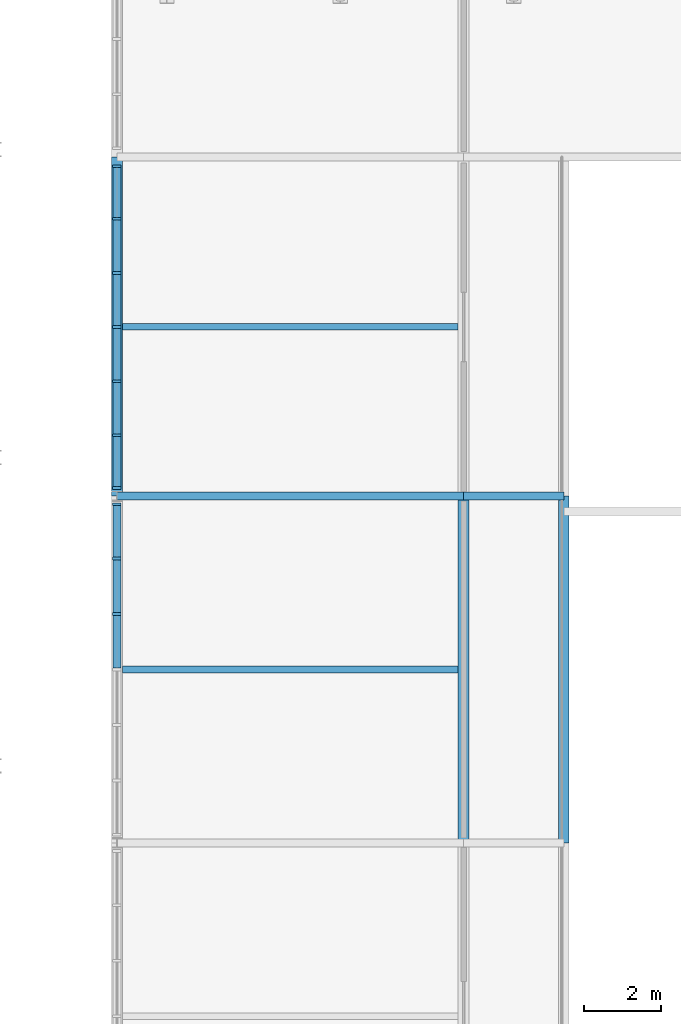
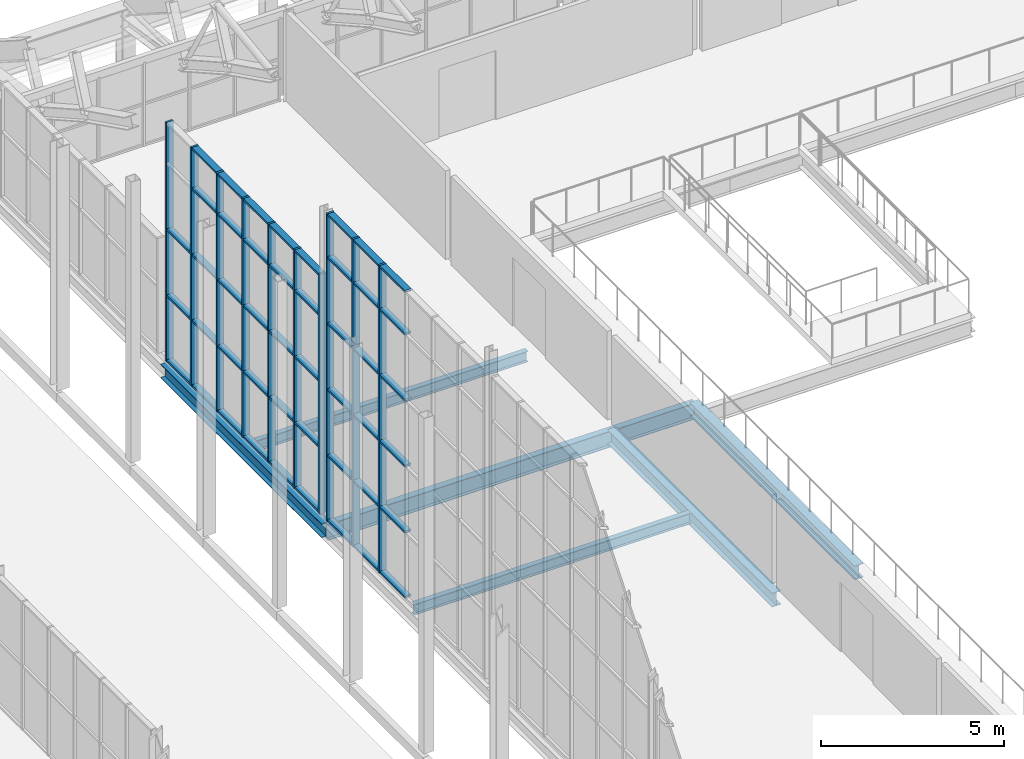
# One storey, part 54 of 134: 56 members, 7 beams, 2 elements without a shape of their own.
"""IFC4 building model written with IfcOpenShell, lengths in metres."""

from ifc_helpers import new_model, si_unit, direction, frame, origin, origin_2d, place, context, subcontext, project, spatial, rectangle, i_section, extrude, material, layer, layer_set, material_profile, profile_set, type_object, element, aggregate, save


model = new_model("IFC4")

# Units and contexts
model_context = context("Model", 3, precision=1e-05, world=origin(), true_north=direction((0.0, 1.0)))
body_context = subcontext(model_context, "Body", "Model", "MODEL_VIEW")
ifc_project = project(units=[si_unit("LENGTHUNIT", "METRE"), si_unit("AREAUNIT", "SQUARE_METRE"), si_unit("VOLUMEUNIT", "CUBIC_METRE"), si_unit("PLANEANGLEUNIT", "RADIAN"), si_unit("MASSUNIT", "GRAM", prefix="KILO")], contexts=[model_context])

# Site, building, storey
site_placement = place(None, origin())
site = spatial("IfcSite", under=ifc_project, at=site_placement, CompositionType="ELEMENT")
building_placement = place(site_placement, origin())
building = spatial("IfcBuilding", under=site, at=building_placement, Name="Cazmaro Siding Exhibition Halls", CompositionType="ELEMENT")
storey_placement = place(building_placement, frame((0.0, 0.0, 12.0)))
storey = spatial("IfcBuildingStorey", under=building, at=storey_placement, Name="L02", CompositionType="ELEMENT", Elevation=12.0)

# Beams
ifc_material_1 = material(Name="Steel ASTM A992 Grade 50", Category="steel")
ifc_material_profile_1 = material_profile(ifc_material_1, i_section(OverallWidth=0.2099609375, OverallDepth=0.535888671875, WebThickness=0.010986328125, FlangeThickness=0.01708984375, at=origin_2d()), Name="W21X68")
ifc_profile_set_1 = profile_set([ifc_material_profile_1], Name="Steel ASTM A992 Grade 50")
beam_type_1 = type_object("IfcBeamType", Name="B-02", PredefinedType="BEAM", material=ifc_profile_set_1)
beam_1_placement = place(storey_placement, frame((48.199951171875, 103.0, -0.488037109375), z_axis=(1.0, 0.0, 0.0), x_axis=(0.0, 1.0, 0.0)))
element("IfcBeam", 1, at=beam_1_placement, inside=storey, type_object=beam_type_1, Name="Beam B-02 BM-0488", PredefinedType="BEAM", context=body_context, shape_type="SweptSolid", body=[
    extrude(i_section(OverallWidth=0.2099609375, OverallDepth=0.535888671875, WebThickness=0.010986328125, FlangeThickness=0.01708984375, at=origin_2d()), origin(), (0.0, 0.0, 1.0), 9.0),
])
beam_2_placement = place(storey_placement, frame((57.199951171875, 103.0, -0.488037109375), z_axis=(1.0, 0.0, 0.0), x_axis=(0.0, 1.0, 0.0)))
element("IfcBeam", 2, at=beam_2_placement, inside=storey, type_object=beam_type_1, Name="Beam B-02 BM-0504", PredefinedType="BEAM", context=body_context, shape_type="SweptSolid", body=[
    extrude(i_section(OverallWidth=0.2099609375, OverallDepth=0.535888671875, WebThickness=0.010986328125, FlangeThickness=0.01708984375, at=origin_2d()), origin(), (0.0, 0.0, 1.0), 2.60009765625),
])
ifc_material_2 = material(Name="Steel ASTM A992 Grade 50", Category="steel")
ifc_material_profile_2 = material_profile(ifc_material_2, i_section(OverallWidth=0.279052734375, OverallDepth=0.4619140625, WebThickness=0.010986328125, FlangeThickness=0.01708984375, at=origin_2d()), Name="W18X76")
ifc_profile_set_2 = profile_set([ifc_material_profile_2], Name="Steel ASTM A992 Grade 50")
beam_type_2 = type_object("IfcBeamType", Name="B-03", PredefinedType="BEAM", material=ifc_profile_set_2)
beam_3_placement = place(storey_placement, frame((57.199951171875, 94.0, -0.450927734375), z_axis=(0.0, 1.0, 0.0), x_axis=(-1.0, 0.0, 0.0)))
element("IfcBeam", 3, at=beam_3_placement, inside=storey, type_object=beam_type_2, Name="Beam B-03 BM-0496", PredefinedType="BEAM", context=body_context, shape_type="SweptSolid", body=[
    extrude(i_section(OverallWidth=0.279052734375, OverallDepth=0.4619140625, WebThickness=0.010986328125, FlangeThickness=0.01708984375, at=origin_2d()), origin(), (0.0, 0.0, 1.0), 9.0),
])
beam_4_placement = place(storey_placement, frame((48.199951171875, 103.0, -0.450927734375), z_axis=(0.0, 1.0, 0.0), x_axis=(-1.0, 0.0, 0.0)))
element("IfcBeam", 4, at=beam_4_placement, inside=storey, type_object=beam_type_2, Name="Beam B-03 BM-0498", PredefinedType="BEAM", context=body_context, shape_type="SweptSolid", body=[
    extrude(i_section(OverallWidth=0.279052734375, OverallDepth=0.4619140625, WebThickness=0.010986328125, FlangeThickness=0.01708984375, at=origin_2d()), origin(), (0.0, 0.0, 1.0), 8.800048828125),
])
beam_5_placement = place(storey_placement, frame((59.800048828125, 94.0, -0.450927734375), z_axis=(0.0, 1.0, 0.0), x_axis=(-1.0, 0.0, 0.0)))
element("IfcBeam", 5, at=beam_5_placement, inside=storey, type_object=beam_type_2, Name="Beam B-03 BM-0507", PredefinedType="BEAM", context=body_context, shape_type="SweptSolid", body=[
    extrude(i_section(OverallWidth=0.279052734375, OverallDepth=0.4619140625, WebThickness=0.010986328125, FlangeThickness=0.01708984375, at=origin_2d()), origin(), (0.0, 0.0, 1.0), 9.0),
])

# Curtain wall, members
ifc_material_3 = material(Name="Anodized Bronze Aluminum and Solar-Control Low-E Glazing", Category="aluminium")
ifc_layer = layer(ifc_material_3, 0.219970703125)
ifc_layer_set = layer_set([ifc_layer], Name="Anodized Bronze Aluminum and Solar-Control Low-E Glazing")
curtain_wall_type = type_object("IfcCurtainWallType", Name="CWS-03", PredefinedType="USERDEFINED", material=ifc_layer_set)
curtain_wall_1_placement = place(storey_placement, origin())
curtain_wall_1 = element("IfcCurtainWall", 6, at=curtain_wall_1_placement, inside=storey, type_object=curtain_wall_type, Name="Glazed Curtain Wall CWS-03 CW-058", ObjectType="GLAZED CURTAIN WALL", PredefinedType="USERDEFINED")
ifc_material_4 = material(Name="Anodized Bronze Extruded Aluminum", Category="aluminium")
ifc_material_profile_3 = material_profile(ifc_material_4, rectangle(XDim=0.219970703125, YDim=0.070068359375, at=origin_2d()), Name="CWM-03")
ifc_profile_set_3 = profile_set([ifc_material_profile_3], Name="Anodized Bronze Extruded Aluminum")
member_type_1 = type_object("IfcMemberType", Name="CWM-03", PredefinedType="MULLION", material=ifc_profile_set_3)
member_1_placement = place(storey_placement, frame((48.199951171875, 102.7880859375, 0.0), z_axis=(0.0, 0.0, 1.0), x_axis=(1.0, 0.0, 0.0)))
member_1 = element("IfcMember", 7, at=member_1_placement, type_object=member_type_1, Name="CWS-03 mullion 1", PredefinedType="MULLION", context=body_context, shape_type="SweptSolid", body=[
    extrude(rectangle(XDim=0.219970703125, YDim=0.070068359375, at=origin_2d()), origin(), (0.0, 0.0, 1.0), 10.258056640625),
])
member_2_placement = place(storey_placement, frame((48.199951171875, 101.382080078125, 0.0), z_axis=(0.0, 0.0, 1.0), x_axis=(1.0, 0.0, 0.0)))
member_2 = element("IfcMember", 8, at=member_2_placement, type_object=member_type_1, Name="CWS-03 mullion 2", PredefinedType="MULLION", context=body_context, shape_type="SweptSolid", body=[
    extrude(rectangle(XDim=0.219970703125, YDim=0.070068359375, at=origin_2d()), origin(), (0.0, 0.0, 1.0), 10.258056640625),
])
member_3_placement = place(storey_placement, frame((48.199951171875, 99.94091796875, 0.0), z_axis=(0.0, 0.0, 1.0), x_axis=(1.0, 0.0, 0.0)))
member_3 = element("IfcMember", 9, at=member_3_placement, type_object=member_type_1, Name="CWS-03 mullion 3", PredefinedType="MULLION", context=body_context, shape_type="SweptSolid", body=[
    extrude(rectangle(XDim=0.219970703125, YDim=0.070068359375, at=origin_2d()), origin(), (0.0, 0.0, 1.0), 10.258056640625),
])

curtain_wall_2_placement = place(storey_placement, origin())
curtain_wall_2 = element("IfcCurtainWall", 10, at=curtain_wall_2_placement, inside=storey, type_object=curtain_wall_type, Name="Glazed Curtain Wall CWS-03 CW-061", ObjectType="GLAZED CURTAIN WALL", PredefinedType="USERDEFINED")
member_4_placement = place(storey_placement, frame((48.199951171875, 111.56689453125, 0.0), z_axis=(0.0, 0.0, 1.0), x_axis=(1.0, 0.0, 0.0)))
member_4 = element("IfcMember", 11, at=member_4_placement, type_object=member_type_1, Name="CWS-03 mullion 1", PredefinedType="MULLION", context=body_context, shape_type="SweptSolid", body=[
    extrude(rectangle(XDim=0.219970703125, YDim=0.070068359375, at=origin_2d()), origin(), (0.0, 0.0, 1.0), 7.972900390625),
])
member_5_placement = place(storey_placement, frame((48.199951171875, 110.19775390625, 0.0), z_axis=(0.0, 0.0, 1.0), x_axis=(1.0, 0.0, 0.0)))
member_5 = element("IfcMember", 12, at=member_5_placement, type_object=member_type_1, Name="CWS-03 mullion 2", PredefinedType="MULLION", context=body_context, shape_type="SweptSolid", body=[
    extrude(rectangle(XDim=0.219970703125, YDim=0.070068359375, at=origin_2d()), origin(), (0.0, 0.0, 1.0), 7.972900390625),
])
member_6_placement = place(storey_placement, frame((48.199951171875, 108.793701171875, 0.0), z_axis=(0.0, 0.0, 1.0), x_axis=(1.0, 0.0, 0.0)))
member_6 = element("IfcMember", 13, at=member_6_placement, type_object=member_type_1, Name="CWS-03 mullion 3", PredefinedType="MULLION", context=body_context, shape_type="SweptSolid", body=[
    extrude(rectangle(XDim=0.219970703125, YDim=0.070068359375, at=origin_2d()), origin(), (0.0, 0.0, 1.0), 7.972900390625),
])
member_7_placement = place(storey_placement, frame((48.199951171875, 107.389404296875, 0.0), z_axis=(0.0, 0.0, 1.0), x_axis=(1.0, 0.0, 0.0)))
member_7 = element("IfcMember", 14, at=member_7_placement, type_object=member_type_1, Name="CWS-03 mullion 4", PredefinedType="MULLION", context=body_context, shape_type="SweptSolid", body=[
    extrude(rectangle(XDim=0.219970703125, YDim=0.070068359375, at=origin_2d()), origin(), (0.0, 0.0, 1.0), 7.972900390625),
])
member_8_placement = place(storey_placement, frame((48.199951171875, 105.9853515625, 0.0), z_axis=(0.0, 0.0, 1.0), x_axis=(1.0, 0.0, 0.0)))
member_8 = element("IfcMember", 15, at=member_8_placement, type_object=member_type_1, Name="CWS-03 mullion 5", PredefinedType="MULLION", context=body_context, shape_type="SweptSolid", body=[
    extrude(rectangle(XDim=0.219970703125, YDim=0.070068359375, at=origin_2d()), origin(), (0.0, 0.0, 1.0), 7.972900390625),
])
member_9_placement = place(storey_placement, frame((48.199951171875, 104.5810546875, 0.0), z_axis=(0.0, 0.0, 1.0), x_axis=(1.0, 0.0, 0.0)))
member_9 = element("IfcMember", 16, at=member_9_placement, type_object=member_type_1, Name="CWS-03 mullion 6", PredefinedType="MULLION", context=body_context, shape_type="SweptSolid", body=[
    extrude(rectangle(XDim=0.219970703125, YDim=0.070068359375, at=origin_2d()), origin(), (0.0, 0.0, 1.0), 7.972900390625),
])
member_10_placement = place(storey_placement, frame((48.199951171875, 103.2119140625, 0.0), z_axis=(0.0, 0.0, 1.0), x_axis=(1.0, 0.0, 0.0)))
member_10 = element("IfcMember", 17, at=member_10_placement, type_object=member_type_1, Name="CWS-03 mullion 7", PredefinedType="MULLION", context=body_context, shape_type="SweptSolid", body=[
    extrude(rectangle(XDim=0.219970703125, YDim=0.070068359375, at=origin_2d()), origin(), (0.0, 0.0, 1.0), 7.972900390625),
])

# Member
ifc_material_5 = material(Name="Anodized Bronze Extruded Aluminum", Category="aluminium")
ifc_material_profile_4 = material_profile(ifc_material_5, rectangle(XDim=0.199951171875, YDim=0.070068359375, at=origin_2d()), Name="CWT-03")
ifc_profile_set_4 = profile_set([ifc_material_profile_4], Name="Anodized Bronze Extruded Aluminum")
member_type_2 = type_object("IfcMemberType", Name="CWT-03", PredefinedType="MULLION", material=ifc_profile_set_4)
member_11_placement = place(storey_placement, frame((48.199951171875, 102.7529296875, 0.034912109375), z_axis=(0.0, -1.0, 0.0), x_axis=(1.0, 0.0, 0.0)))
member_11 = element("IfcMember", 18, at=member_11_placement, type_object=member_type_2, Name="CWS-03 transom 1.1", ObjectType="TRANSOM", PredefinedType="USERDEFINED", context=body_context, shape_type="SweptSolid", body=[
    extrude(rectangle(XDim=0.199951171875, YDim=0.070068359375, at=origin_2d()), origin(), (0.0, 0.0, 1.0), 1.3359375),
])

member_12_placement = place(storey_placement, frame((48.199951171875, 102.7529296875, 2.199951171875), z_axis=(0.0, -1.0, 0.0), x_axis=(1.0, 0.0, 0.0)))
member_12 = element("IfcMember", 19, at=member_12_placement, type_object=member_type_2, Name="CWS-03 transom 1.2", ObjectType="TRANSOM", PredefinedType="USERDEFINED", context=body_context, shape_type="SweptSolid", body=[
    extrude(rectangle(XDim=0.199951171875, YDim=0.070068359375, at=origin_2d()), origin(), (0.0, 0.0, 1.0), 1.3359375),
])

member_13_placement = place(storey_placement, frame((48.199951171875, 102.7529296875, 4.39990234375), z_axis=(0.0, -1.0, 0.0), x_axis=(1.0, 0.0, 0.0)))
member_13 = element("IfcMember", 20, at=member_13_placement, type_object=member_type_2, Name="CWS-03 transom 1.3", ObjectType="TRANSOM", PredefinedType="USERDEFINED", context=body_context, shape_type="SweptSolid", body=[
    extrude(rectangle(XDim=0.199951171875, YDim=0.070068359375, at=origin_2d()), origin(), (0.0, 0.0, 1.0), 1.3359375),
])

member_14_placement = place(storey_placement, frame((48.199951171875, 102.7529296875, 6.60009765625), z_axis=(0.0, -1.0, 0.0), x_axis=(1.0, 0.0, 0.0)))
member_14 = element("IfcMember", 21, at=member_14_placement, type_object=member_type_2, Name="CWS-03 transom 1.4", ObjectType="TRANSOM", PredefinedType="USERDEFINED", context=body_context, shape_type="SweptSolid", body=[
    extrude(rectangle(XDim=0.199951171875, YDim=0.070068359375, at=origin_2d()), origin(), (0.0, 0.0, 1.0), 1.3359375),
])

member_15_placement = place(storey_placement, frame((48.199951171875, 102.7529296875, 8.800048828125), z_axis=(0.0, -1.0, 0.0), x_axis=(1.0, 0.0, 0.0)))
member_15 = element("IfcMember", 22, at=member_15_placement, type_object=member_type_2, Name="CWS-03 transom 1.5", ObjectType="TRANSOM", PredefinedType="USERDEFINED", context=body_context, shape_type="SweptSolid", body=[
    extrude(rectangle(XDim=0.199951171875, YDim=0.070068359375, at=origin_2d()), origin(), (0.0, 0.0, 1.0), 1.3359375),
])

member_16_placement = place(storey_placement, frame((48.199951171875, 102.7529296875, 10.222900390625), z_axis=(0.0, -1.0, 0.0), x_axis=(1.0, 0.0, 0.0)))
member_16 = element("IfcMember", 23, at=member_16_placement, type_object=member_type_2, Name="CWS-03 transom 1.6", ObjectType="TRANSOM", PredefinedType="USERDEFINED", context=body_context, shape_type="SweptSolid", body=[
    extrude(rectangle(XDim=0.199951171875, YDim=0.070068359375, at=origin_2d()), origin(), (0.0, 0.0, 1.0), 1.3359375),
])

member_17_placement = place(storey_placement, frame((48.199951171875, 101.346923828125, 0.034912109375), z_axis=(0.0, -1.0, 0.0), x_axis=(1.0, 0.0, 0.0)))
member_17 = element("IfcMember", 24, at=member_17_placement, type_object=member_type_2, Name="CWS-03 transom 2.1", ObjectType="TRANSOM", PredefinedType="USERDEFINED", context=body_context, shape_type="SweptSolid", body=[
    extrude(rectangle(XDim=0.199951171875, YDim=0.070068359375, at=origin_2d()), origin(), (0.0, 0.0, 1.0), 1.370849609375),
])

member_18_placement = place(storey_placement, frame((48.199951171875, 101.346923828125, 2.199951171875), z_axis=(0.0, -1.0, 0.0), x_axis=(1.0, 0.0, 0.0)))
member_18 = element("IfcMember", 25, at=member_18_placement, type_object=member_type_2, Name="CWS-03 transom 2.2", ObjectType="TRANSOM", PredefinedType="USERDEFINED", context=body_context, shape_type="SweptSolid", body=[
    extrude(rectangle(XDim=0.199951171875, YDim=0.070068359375, at=origin_2d()), origin(), (0.0, 0.0, 1.0), 1.370849609375),
])

member_19_placement = place(storey_placement, frame((48.199951171875, 101.346923828125, 4.39990234375), z_axis=(0.0, -1.0, 0.0), x_axis=(1.0, 0.0, 0.0)))
member_19 = element("IfcMember", 26, at=member_19_placement, type_object=member_type_2, Name="CWS-03 transom 2.3", ObjectType="TRANSOM", PredefinedType="USERDEFINED", context=body_context, shape_type="SweptSolid", body=[
    extrude(rectangle(XDim=0.199951171875, YDim=0.070068359375, at=origin_2d()), origin(), (0.0, 0.0, 1.0), 1.370849609375),
])

member_20_placement = place(storey_placement, frame((48.199951171875, 101.346923828125, 6.60009765625), z_axis=(0.0, -1.0, 0.0), x_axis=(1.0, 0.0, 0.0)))
member_20 = element("IfcMember", 27, at=member_20_placement, type_object=member_type_2, Name="CWS-03 transom 2.4", ObjectType="TRANSOM", PredefinedType="USERDEFINED", context=body_context, shape_type="SweptSolid", body=[
    extrude(rectangle(XDim=0.199951171875, YDim=0.070068359375, at=origin_2d()), origin(), (0.0, 0.0, 1.0), 1.370849609375),
])

member_21_placement = place(storey_placement, frame((48.199951171875, 101.346923828125, 8.800048828125), z_axis=(0.0, -1.0, 0.0), x_axis=(1.0, 0.0, 0.0)))
member_21 = element("IfcMember", 28, at=member_21_placement, type_object=member_type_2, Name="CWS-03 transom 2.5", ObjectType="TRANSOM", PredefinedType="USERDEFINED", context=body_context, shape_type="SweptSolid", body=[
    extrude(rectangle(XDim=0.199951171875, YDim=0.070068359375, at=origin_2d()), origin(), (0.0, 0.0, 1.0), 1.370849609375),
])

member_22_placement = place(storey_placement, frame((48.199951171875, 101.346923828125, 10.222900390625), z_axis=(0.0, -1.0, 0.0), x_axis=(1.0, 0.0, 0.0)))
member_22 = element("IfcMember", 29, at=member_22_placement, type_object=member_type_2, Name="CWS-03 transom 2.6", ObjectType="TRANSOM", PredefinedType="USERDEFINED", context=body_context, shape_type="SweptSolid", body=[
    extrude(rectangle(XDim=0.199951171875, YDim=0.070068359375, at=origin_2d()), origin(), (0.0, 0.0, 1.0), 1.370849609375),
])

member_23_placement = place(storey_placement, frame((48.199951171875, 99.906005859375, 0.034912109375), z_axis=(0.0, -1.0, 0.0), x_axis=(1.0, 0.0, 0.0)))
member_23 = element("IfcMember", 30, at=member_23_placement, type_object=member_type_2, Name="CWS-03 transom 3.1", ObjectType="TRANSOM", PredefinedType="USERDEFINED", context=body_context, shape_type="SweptSolid", body=[
    extrude(rectangle(XDim=0.199951171875, YDim=0.070068359375, at=origin_2d()), origin(), (0.0, 0.0, 1.0), 1.37109375),
])

member_24_placement = place(storey_placement, frame((48.199951171875, 99.906005859375, 2.199951171875), z_axis=(0.0, -1.0, 0.0), x_axis=(1.0, 0.0, 0.0)))
member_24 = element("IfcMember", 31, at=member_24_placement, type_object=member_type_2, Name="CWS-03 transom 3.2", ObjectType="TRANSOM", PredefinedType="USERDEFINED", context=body_context, shape_type="SweptSolid", body=[
    extrude(rectangle(XDim=0.199951171875, YDim=0.070068359375, at=origin_2d()), origin(), (0.0, 0.0, 1.0), 1.37109375),
])

member_25_placement = place(storey_placement, frame((48.199951171875, 99.906005859375, 4.39990234375), z_axis=(0.0, -1.0, 0.0), x_axis=(1.0, 0.0, 0.0)))
member_25 = element("IfcMember", 32, at=member_25_placement, type_object=member_type_2, Name="CWS-03 transom 3.3", ObjectType="TRANSOM", PredefinedType="USERDEFINED", context=body_context, shape_type="SweptSolid", body=[
    extrude(rectangle(XDim=0.199951171875, YDim=0.070068359375, at=origin_2d()), origin(), (0.0, 0.0, 1.0), 1.37109375),
])

member_26_placement = place(storey_placement, frame((48.199951171875, 99.906005859375, 6.60009765625), z_axis=(0.0, -1.0, 0.0), x_axis=(1.0, 0.0, 0.0)))
member_26 = element("IfcMember", 33, at=member_26_placement, type_object=member_type_2, Name="CWS-03 transom 3.4", ObjectType="TRANSOM", PredefinedType="USERDEFINED", context=body_context, shape_type="SweptSolid", body=[
    extrude(rectangle(XDim=0.199951171875, YDim=0.070068359375, at=origin_2d()), origin(), (0.0, 0.0, 1.0), 1.37109375),
])

member_27_placement = place(storey_placement, frame((48.199951171875, 99.906005859375, 8.800048828125), z_axis=(0.0, -1.0, 0.0), x_axis=(1.0, 0.0, 0.0)))
member_27 = element("IfcMember", 34, at=member_27_placement, type_object=member_type_2, Name="CWS-03 transom 3.5", ObjectType="TRANSOM", PredefinedType="USERDEFINED", context=body_context, shape_type="SweptSolid", body=[
    extrude(rectangle(XDim=0.199951171875, YDim=0.070068359375, at=origin_2d()), origin(), (0.0, 0.0, 1.0), 1.37109375),
])

member_28_placement = place(storey_placement, frame((48.199951171875, 99.906005859375, 10.222900390625), z_axis=(0.0, -1.0, 0.0), x_axis=(1.0, 0.0, 0.0)))
member_28 = element("IfcMember", 35, at=member_28_placement, type_object=member_type_2, Name="CWS-03 transom 3.6", ObjectType="TRANSOM", PredefinedType="USERDEFINED", context=body_context, shape_type="SweptSolid", body=[
    extrude(rectangle(XDim=0.199951171875, YDim=0.070068359375, at=origin_2d()), origin(), (0.0, 0.0, 1.0), 1.37109375),
])

aggregate(curtain_wall_1, [member_1, member_2, member_3, member_11, member_12, member_13, member_14, member_15, member_16, member_17, member_18, member_19, member_20, member_21, member_22, member_23, member_24, member_25, member_26, member_27, member_28])

member_29_placement = place(storey_placement, frame((48.199951171875, 111.531982421875, 0.034912109375), z_axis=(0.0, -1.0, 0.0), x_axis=(1.0, 0.0, 0.0)))
member_29 = element("IfcMember", 36, at=member_29_placement, type_object=member_type_2, Name="CWS-03 transom 1.1", ObjectType="TRANSOM", PredefinedType="USERDEFINED", context=body_context, shape_type="SweptSolid", body=[
    extrude(rectangle(XDim=0.199951171875, YDim=0.070068359375, at=origin_2d()), origin(), (0.0, 0.0, 1.0), 1.299072265625),
])

member_30_placement = place(storey_placement, frame((48.199951171875, 111.531982421875, 2.199951171875), z_axis=(0.0, -1.0, 0.0), x_axis=(1.0, 0.0, 0.0)))
member_30 = element("IfcMember", 37, at=member_30_placement, type_object=member_type_2, Name="CWS-03 transom 1.2", ObjectType="TRANSOM", PredefinedType="USERDEFINED", context=body_context, shape_type="SweptSolid", body=[
    extrude(rectangle(XDim=0.199951171875, YDim=0.070068359375, at=origin_2d()), origin(), (0.0, 0.0, 1.0), 1.299072265625),
])

member_31_placement = place(storey_placement, frame((48.199951171875, 111.531982421875, 4.39990234375), z_axis=(0.0, -1.0, 0.0), x_axis=(1.0, 0.0, 0.0)))
member_31 = element("IfcMember", 38, at=member_31_placement, type_object=member_type_2, Name="CWS-03 transom 1.3", ObjectType="TRANSOM", PredefinedType="USERDEFINED", context=body_context, shape_type="SweptSolid", body=[
    extrude(rectangle(XDim=0.199951171875, YDim=0.070068359375, at=origin_2d()), origin(), (0.0, 0.0, 1.0), 1.299072265625),
])

member_32_placement = place(storey_placement, frame((48.199951171875, 110.162841796875, 0.034912109375), z_axis=(0.0, -1.0, 0.0), x_axis=(1.0, 0.0, 0.0)))
member_32 = element("IfcMember", 39, at=member_32_placement, type_object=member_type_2, Name="CWS-03 transom 2.1", ObjectType="TRANSOM", PredefinedType="USERDEFINED", context=body_context, shape_type="SweptSolid", body=[
    extrude(rectangle(XDim=0.199951171875, YDim=0.070068359375, at=origin_2d()), origin(), (0.0, 0.0, 1.0), 1.334228515625),
])

member_33_placement = place(storey_placement, frame((48.199951171875, 110.162841796875, 2.199951171875), z_axis=(0.0, -1.0, 0.0), x_axis=(1.0, 0.0, 0.0)))
member_33 = element("IfcMember", 40, at=member_33_placement, type_object=member_type_2, Name="CWS-03 transom 2.2", ObjectType="TRANSOM", PredefinedType="USERDEFINED", context=body_context, shape_type="SweptSolid", body=[
    extrude(rectangle(XDim=0.199951171875, YDim=0.070068359375, at=origin_2d()), origin(), (0.0, 0.0, 1.0), 1.334228515625),
])

member_34_placement = place(storey_placement, frame((48.199951171875, 110.162841796875, 4.39990234375), z_axis=(0.0, -1.0, 0.0), x_axis=(1.0, 0.0, 0.0)))
member_34 = element("IfcMember", 41, at=member_34_placement, type_object=member_type_2, Name="CWS-03 transom 2.3", ObjectType="TRANSOM", PredefinedType="USERDEFINED", context=body_context, shape_type="SweptSolid", body=[
    extrude(rectangle(XDim=0.199951171875, YDim=0.070068359375, at=origin_2d()), origin(), (0.0, 0.0, 1.0), 1.334228515625),
])

member_35_placement = place(storey_placement, frame((48.199951171875, 110.162841796875, 6.60009765625), z_axis=(0.0, -1.0, 0.0), x_axis=(1.0, 0.0, 0.0)))
member_35 = element("IfcMember", 42, at=member_35_placement, type_object=member_type_2, Name="CWS-03 transom 2.4", ObjectType="TRANSOM", PredefinedType="USERDEFINED", context=body_context, shape_type="SweptSolid", body=[
    extrude(rectangle(XDim=0.199951171875, YDim=0.070068359375, at=origin_2d()), origin(), (0.0, 0.0, 1.0), 1.334228515625),
])

member_36_placement = place(storey_placement, frame((48.199951171875, 110.162841796875, 7.93798828125), z_axis=(0.0, -1.0, 0.0), x_axis=(1.0, 0.0, 0.0)))
member_36 = element("IfcMember", 43, at=member_36_placement, type_object=member_type_2, Name="CWS-03 transom 2.5", ObjectType="TRANSOM", PredefinedType="USERDEFINED", context=body_context, shape_type="SweptSolid", body=[
    extrude(rectangle(XDim=0.199951171875, YDim=0.070068359375, at=origin_2d()), origin(), (0.0, 0.0, 1.0), 1.334228515625),
])

member_37_placement = place(storey_placement, frame((48.199951171875, 108.758544921875, 0.034912109375), z_axis=(0.0, -1.0, 0.0), x_axis=(1.0, 0.0, 0.0)))
member_37 = element("IfcMember", 44, at=member_37_placement, type_object=member_type_2, Name="CWS-03 transom 3.1", ObjectType="TRANSOM", PredefinedType="USERDEFINED", context=body_context, shape_type="SweptSolid", body=[
    extrude(rectangle(XDim=0.199951171875, YDim=0.070068359375, at=origin_2d()), origin(), (0.0, 0.0, 1.0), 1.333984375),
])

member_38_placement = place(storey_placement, frame((48.199951171875, 108.758544921875, 2.199951171875), z_axis=(0.0, -1.0, 0.0), x_axis=(1.0, 0.0, 0.0)))
member_38 = element("IfcMember", 45, at=member_38_placement, type_object=member_type_2, Name="CWS-03 transom 3.2", ObjectType="TRANSOM", PredefinedType="USERDEFINED", context=body_context, shape_type="SweptSolid", body=[
    extrude(rectangle(XDim=0.199951171875, YDim=0.070068359375, at=origin_2d()), origin(), (0.0, 0.0, 1.0), 1.333984375),
])

member_39_placement = place(storey_placement, frame((48.199951171875, 108.758544921875, 4.39990234375), z_axis=(0.0, -1.0, 0.0), x_axis=(1.0, 0.0, 0.0)))
member_39 = element("IfcMember", 46, at=member_39_placement, type_object=member_type_2, Name="CWS-03 transom 3.3", ObjectType="TRANSOM", PredefinedType="USERDEFINED", context=body_context, shape_type="SweptSolid", body=[
    extrude(rectangle(XDim=0.199951171875, YDim=0.070068359375, at=origin_2d()), origin(), (0.0, 0.0, 1.0), 1.333984375),
])

member_40_placement = place(storey_placement, frame((48.199951171875, 108.758544921875, 6.60009765625), z_axis=(0.0, -1.0, 0.0), x_axis=(1.0, 0.0, 0.0)))
member_40 = element("IfcMember", 47, at=member_40_placement, type_object=member_type_2, Name="CWS-03 transom 3.4", ObjectType="TRANSOM", PredefinedType="USERDEFINED", context=body_context, shape_type="SweptSolid", body=[
    extrude(rectangle(XDim=0.199951171875, YDim=0.070068359375, at=origin_2d()), origin(), (0.0, 0.0, 1.0), 1.333984375),
])

member_41_placement = place(storey_placement, frame((48.199951171875, 108.758544921875, 7.93798828125), z_axis=(0.0, -1.0, 0.0), x_axis=(1.0, 0.0, 0.0)))
member_41 = element("IfcMember", 48, at=member_41_placement, type_object=member_type_2, Name="CWS-03 transom 3.5", ObjectType="TRANSOM", PredefinedType="USERDEFINED", context=body_context, shape_type="SweptSolid", body=[
    extrude(rectangle(XDim=0.199951171875, YDim=0.070068359375, at=origin_2d()), origin(), (0.0, 0.0, 1.0), 1.333984375),
])

member_42_placement = place(storey_placement, frame((48.199951171875, 107.3544921875, 0.034912109375), z_axis=(0.0, -1.0, 0.0), x_axis=(1.0, 0.0, 0.0)))
member_42 = element("IfcMember", 49, at=member_42_placement, type_object=member_type_2, Name="CWS-03 transom 4.1", ObjectType="TRANSOM", PredefinedType="USERDEFINED", context=body_context, shape_type="SweptSolid", body=[
    extrude(rectangle(XDim=0.199951171875, YDim=0.070068359375, at=origin_2d()), origin(), (0.0, 0.0, 1.0), 1.334228515625),
])

member_43_placement = place(storey_placement, frame((48.199951171875, 107.3544921875, 2.199951171875), z_axis=(0.0, -1.0, 0.0), x_axis=(1.0, 0.0, 0.0)))
member_43 = element("IfcMember", 50, at=member_43_placement, type_object=member_type_2, Name="CWS-03 transom 4.2", ObjectType="TRANSOM", PredefinedType="USERDEFINED", context=body_context, shape_type="SweptSolid", body=[
    extrude(rectangle(XDim=0.199951171875, YDim=0.070068359375, at=origin_2d()), origin(), (0.0, 0.0, 1.0), 1.334228515625),
])

member_44_placement = place(storey_placement, frame((48.199951171875, 107.3544921875, 4.39990234375), z_axis=(0.0, -1.0, 0.0), x_axis=(1.0, 0.0, 0.0)))
member_44 = element("IfcMember", 51, at=member_44_placement, type_object=member_type_2, Name="CWS-03 transom 4.3", ObjectType="TRANSOM", PredefinedType="USERDEFINED", context=body_context, shape_type="SweptSolid", body=[
    extrude(rectangle(XDim=0.199951171875, YDim=0.070068359375, at=origin_2d()), origin(), (0.0, 0.0, 1.0), 1.334228515625),
])

member_45_placement = place(storey_placement, frame((48.199951171875, 107.3544921875, 6.60009765625), z_axis=(0.0, -1.0, 0.0), x_axis=(1.0, 0.0, 0.0)))
member_45 = element("IfcMember", 52, at=member_45_placement, type_object=member_type_2, Name="CWS-03 transom 4.4", ObjectType="TRANSOM", PredefinedType="USERDEFINED", context=body_context, shape_type="SweptSolid", body=[
    extrude(rectangle(XDim=0.199951171875, YDim=0.070068359375, at=origin_2d()), origin(), (0.0, 0.0, 1.0), 1.334228515625),
])

member_46_placement = place(storey_placement, frame((48.199951171875, 107.3544921875, 7.93798828125), z_axis=(0.0, -1.0, 0.0), x_axis=(1.0, 0.0, 0.0)))
member_46 = element("IfcMember", 53, at=member_46_placement, type_object=member_type_2, Name="CWS-03 transom 4.5", ObjectType="TRANSOM", PredefinedType="USERDEFINED", context=body_context, shape_type="SweptSolid", body=[
    extrude(rectangle(XDim=0.199951171875, YDim=0.070068359375, at=origin_2d()), origin(), (0.0, 0.0, 1.0), 1.334228515625),
])

member_47_placement = place(storey_placement, frame((48.199951171875, 105.950439453125, 0.034912109375), z_axis=(0.0, -1.0, 0.0), x_axis=(1.0, 0.0, 0.0)))
member_47 = element("IfcMember", 54, at=member_47_placement, type_object=member_type_2, Name="CWS-03 transom 5.1", ObjectType="TRANSOM", PredefinedType="USERDEFINED", context=body_context, shape_type="SweptSolid", body=[
    extrude(rectangle(XDim=0.199951171875, YDim=0.070068359375, at=origin_2d()), origin(), (0.0, 0.0, 1.0), 1.334228515625),
])

member_48_placement = place(storey_placement, frame((48.199951171875, 105.950439453125, 2.199951171875), z_axis=(0.0, -1.0, 0.0), x_axis=(1.0, 0.0, 0.0)))
member_48 = element("IfcMember", 55, at=member_48_placement, type_object=member_type_2, Name="CWS-03 transom 5.2", ObjectType="TRANSOM", PredefinedType="USERDEFINED", context=body_context, shape_type="SweptSolid", body=[
    extrude(rectangle(XDim=0.199951171875, YDim=0.070068359375, at=origin_2d()), origin(), (0.0, 0.0, 1.0), 1.334228515625),
])

member_49_placement = place(storey_placement, frame((48.199951171875, 105.950439453125, 4.39990234375), z_axis=(0.0, -1.0, 0.0), x_axis=(1.0, 0.0, 0.0)))
member_49 = element("IfcMember", 56, at=member_49_placement, type_object=member_type_2, Name="CWS-03 transom 5.3", ObjectType="TRANSOM", PredefinedType="USERDEFINED", context=body_context, shape_type="SweptSolid", body=[
    extrude(rectangle(XDim=0.199951171875, YDim=0.070068359375, at=origin_2d()), origin(), (0.0, 0.0, 1.0), 1.334228515625),
])

member_50_placement = place(storey_placement, frame((48.199951171875, 105.950439453125, 6.60009765625), z_axis=(0.0, -1.0, 0.0), x_axis=(1.0, 0.0, 0.0)))
member_50 = element("IfcMember", 57, at=member_50_placement, type_object=member_type_2, Name="CWS-03 transom 5.4", ObjectType="TRANSOM", PredefinedType="USERDEFINED", context=body_context, shape_type="SweptSolid", body=[
    extrude(rectangle(XDim=0.199951171875, YDim=0.070068359375, at=origin_2d()), origin(), (0.0, 0.0, 1.0), 1.334228515625),
])

member_51_placement = place(storey_placement, frame((48.199951171875, 105.950439453125, 7.93798828125), z_axis=(0.0, -1.0, 0.0), x_axis=(1.0, 0.0, 0.0)))
member_51 = element("IfcMember", 58, at=member_51_placement, type_object=member_type_2, Name="CWS-03 transom 5.5", ObjectType="TRANSOM", PredefinedType="USERDEFINED", context=body_context, shape_type="SweptSolid", body=[
    extrude(rectangle(XDim=0.199951171875, YDim=0.070068359375, at=origin_2d()), origin(), (0.0, 0.0, 1.0), 1.334228515625),
])

member_52_placement = place(storey_placement, frame((48.199951171875, 104.546142578125, 0.034912109375), z_axis=(0.0, -1.0, 0.0), x_axis=(1.0, 0.0, 0.0)))
member_52 = element("IfcMember", 59, at=member_52_placement, type_object=member_type_2, Name="CWS-03 transom 6.1", ObjectType="TRANSOM", PredefinedType="USERDEFINED", context=body_context, shape_type="SweptSolid", body=[
    extrude(rectangle(XDim=0.199951171875, YDim=0.070068359375, at=origin_2d()), origin(), (0.0, 0.0, 1.0), 1.299072265625),
])

member_53_placement = place(storey_placement, frame((48.199951171875, 104.546142578125, 2.199951171875), z_axis=(0.0, -1.0, 0.0), x_axis=(1.0, 0.0, 0.0)))
member_53 = element("IfcMember", 60, at=member_53_placement, type_object=member_type_2, Name="CWS-03 transom 6.2", ObjectType="TRANSOM", PredefinedType="USERDEFINED", context=body_context, shape_type="SweptSolid", body=[
    extrude(rectangle(XDim=0.199951171875, YDim=0.070068359375, at=origin_2d()), origin(), (0.0, 0.0, 1.0), 1.299072265625),
])

member_54_placement = place(storey_placement, frame((48.199951171875, 104.546142578125, 4.39990234375), z_axis=(0.0, -1.0, 0.0), x_axis=(1.0, 0.0, 0.0)))
member_54 = element("IfcMember", 61, at=member_54_placement, type_object=member_type_2, Name="CWS-03 transom 6.3", ObjectType="TRANSOM", PredefinedType="USERDEFINED", context=body_context, shape_type="SweptSolid", body=[
    extrude(rectangle(XDim=0.199951171875, YDim=0.070068359375, at=origin_2d()), origin(), (0.0, 0.0, 1.0), 1.299072265625),
])

member_55_placement = place(storey_placement, frame((48.199951171875, 104.546142578125, 6.60009765625), z_axis=(0.0, -1.0, 0.0), x_axis=(1.0, 0.0, 0.0)))
member_55 = element("IfcMember", 62, at=member_55_placement, type_object=member_type_2, Name="CWS-03 transom 6.4", ObjectType="TRANSOM", PredefinedType="USERDEFINED", context=body_context, shape_type="SweptSolid", body=[
    extrude(rectangle(XDim=0.199951171875, YDim=0.070068359375, at=origin_2d()), origin(), (0.0, 0.0, 1.0), 1.299072265625),
])

member_56_placement = place(storey_placement, frame((48.199951171875, 104.546142578125, 7.93798828125), z_axis=(0.0, -1.0, 0.0), x_axis=(1.0, 0.0, 0.0)))
member_56 = element("IfcMember", 63, at=member_56_placement, type_object=member_type_2, Name="CWS-03 transom 6.5", ObjectType="TRANSOM", PredefinedType="USERDEFINED", context=body_context, shape_type="SweptSolid", body=[
    extrude(rectangle(XDim=0.199951171875, YDim=0.070068359375, at=origin_2d()), origin(), (0.0, 0.0, 1.0), 1.299072265625),
])

aggregate(curtain_wall_2, [member_4, member_5, member_6, member_7, member_8, member_9, member_10, member_29, member_30, member_31, member_32, member_33, member_34, member_35, member_36, member_37, member_38, member_39, member_40, member_41, member_42, member_43, member_44, member_45, member_46, member_47, member_48, member_49, member_50, member_51, member_52, member_53, member_54, member_55, member_56])

# Beams
ifc_material_6 = material(Name="Steel ASTM A992 Grade 50", Category="steel")
ifc_material_profile_5 = material_profile(ifc_material_6, i_section(OverallWidth=0.1708984375, OverallDepth=0.35595703125, WebThickness=0.007080078125, FlangeThickness=0.011962890625, at=origin_2d()), Name="W14X34")
ifc_profile_set_5 = profile_set([ifc_material_profile_5], Name="Steel ASTM A992 Grade 50")
beam_type_3 = type_object("IfcBeamType", Name="J-04", PredefinedType="JOIST", material=ifc_profile_set_5)
for number, where, z_axis, x_axis, name in (
    (64, (48.340087890625, 98.5, -0.39794921875), (1.0, 0.0, 0.0), (0.0, 1.0, 0.0), "Beam J-04 BM-0497"),
    (65, (48.340087890625, 107.39990234375, -0.39794921875), (1.0, 0.0, 0.0), (0.0, 1.0, 0.0), "Beam J-04 BM-0500"),
):
    element("IfcBeam", number, at=place(storey_placement, frame(where, z_axis=z_axis, x_axis=x_axis)), inside=storey, type_object=beam_type_3, Name=name, PredefinedType="JOIST", context=body_context, shape_type="SweptSolid", body=[
        extrude(i_section(OverallWidth=0.1708984375, OverallDepth=0.35595703125, WebThickness=0.007080078125, FlangeThickness=0.011962890625, at=origin_2d()), origin(), (0.0, 0.0, 1.0), 8.719970703125),
    ])

save(model, "model.ifc")
